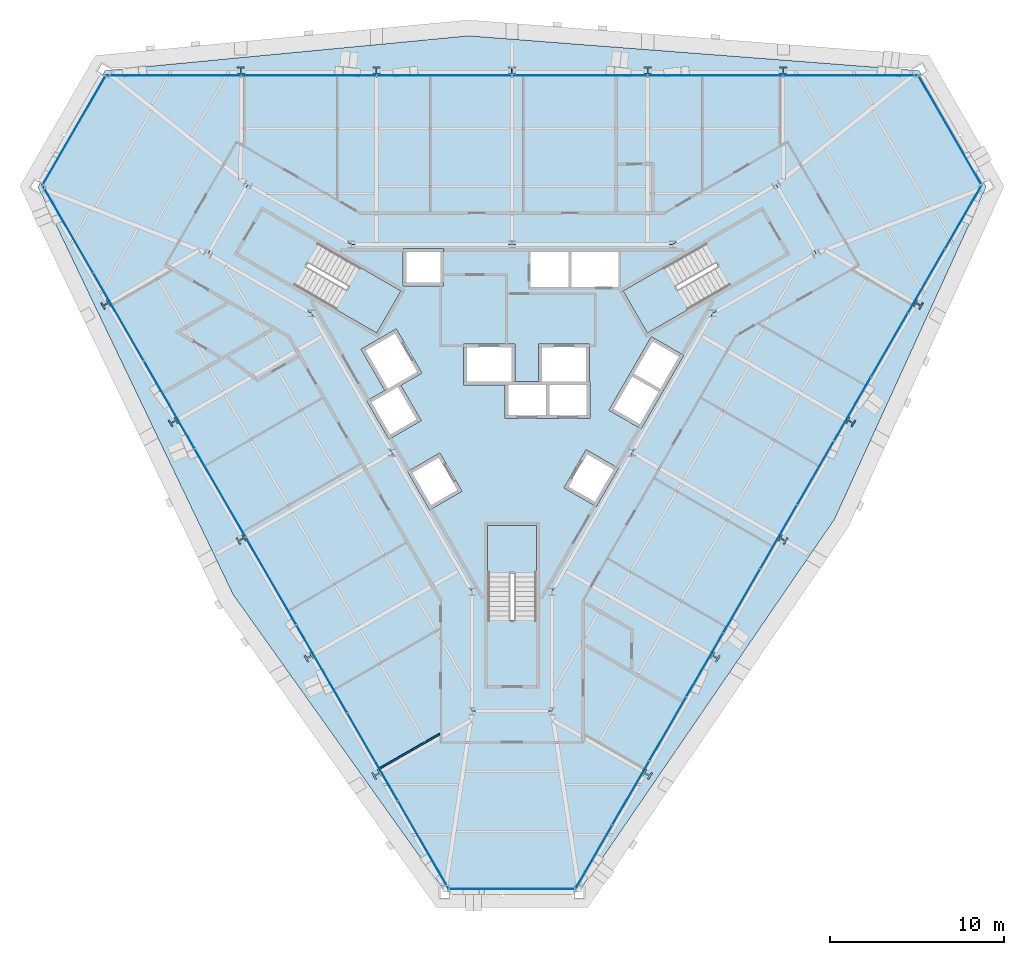
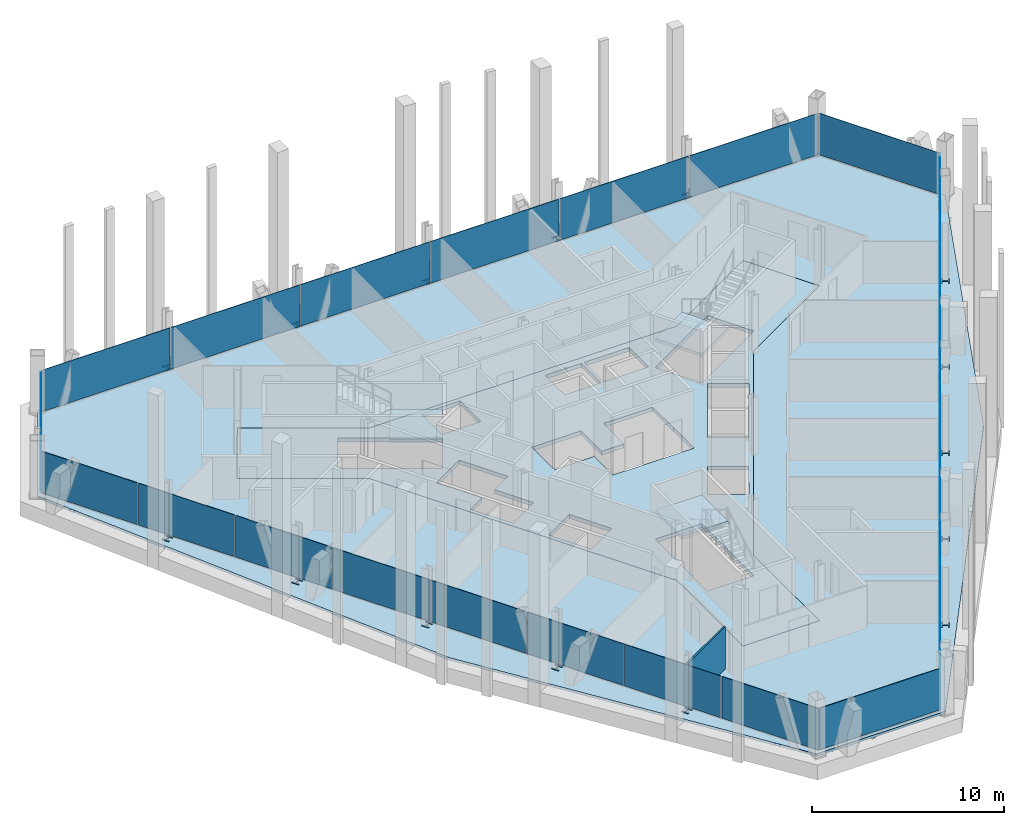
# One storey, part 11 of 17: 28 plates, 15 members, 5 slabs, 1 wall, 9 elements without a shape of their own.
"""IFC4 building model written with IfcOpenShell, lengths in metres."""

from ifc_helpers import new_model, si_unit, direction, frame, frame_2d, origin, origin_2d, place, context, subcontext, project, spatial, polyline, rectangle, i_section, outline, extrude, material, layer, layer_set, material_profile, profile_set, type_object, element, aggregate, save


model = new_model("IFC4")

# Units and contexts
model_context = context("Model", 3, precision=1e-05, world=origin(), true_north=direction((0.0, 1.0)))
body_context = subcontext(model_context, "Body", "Model", "MODEL_VIEW")
ifc_project = project(units=[si_unit("LENGTHUNIT", "METRE"), si_unit("AREAUNIT", "SQUARE_METRE"), si_unit("VOLUMEUNIT", "CUBIC_METRE"), si_unit("PLANEANGLEUNIT", "RADIAN"), si_unit("MASSUNIT", "GRAM", prefix="KILO")], contexts=[model_context])

# Site, building, storey
site_placement = place(None, origin())
site = spatial("IfcSite", under=ifc_project, at=site_placement, CompositionType="ELEMENT")
building_placement = place(site_placement, origin())
building = spatial("IfcBuilding", under=site, at=building_placement, Name="Verrane Prism Tower", CompositionType="ELEMENT")
storey_placement = place(building_placement, frame((0.0, 0.0, 178.39990234375)))
storey = spatial("IfcBuildingStorey", under=building, at=storey_placement, Name="L44", CompositionType="ELEMENT", Elevation=178.39990234375)

# Members
ifc_material_1 = material(Name="Steel A992", Category="steel")
ifc_material_profile = material_profile(ifc_material_1, i_section(OverallWidth=0.411376953125, OverallDepth=0.434326171875, WebThickness=0.035888671875, FlangeThickness=0.057373046875, FilletRadius=0.01513671875, at=origin_2d()), Name="W14x311")
ifc_profile_set = profile_set([ifc_material_profile], Name="Steel A992")
member_type = type_object("IfcMemberType", Name="Kink node W14x311", PredefinedType="COLLAR", material=ifc_profile_set)
member_1_placement = place(storey_placement, frame((15.628662109375, 18.006103515625, -0.039794921875), z_axis=(0.0, 0.0, 1.0), x_axis=(1.0, 0.0, 0.0)))
element("IfcMember", 1, at=member_1_placement, inside=storey, type_object=member_type, Name="Kink node PC6 L44", PredefinedType="COLLAR", context=body_context, shape_type="SweptSolid", body=[
    extrude(i_section(OverallWidth=0.411376953125, OverallDepth=0.434326171875, WebThickness=0.035888671875, FlangeThickness=0.057373046875, FilletRadius=0.01513671875, at=origin_2d()), origin(), (0.0, 0.0, 1.0), 0.079833984375),
])
for number, where, z_axis, x_axis, name in (
    (2, (7.8193359375, 18.006591796875, -0.034912109375), (0.0, 0.0, 1.0), (1.0, 0.0, 0.0), "Kink node PC6 L44"),
    (3, (0.0, 18.006591796875, -0.034912109375), (0.0, 0.0, 1.0), (1.0, 0.0, 0.0), "Kink node PC6 L44"),
    (4, (-7.8193359375, 18.006591796875, -0.034912109375), (0.0, 0.0, 1.0), (1.0, 0.0, 0.0), "Kink node PC6 L44"),
):
    element("IfcMember", number, at=place(storey_placement, frame(where, z_axis=z_axis, x_axis=x_axis)), inside=storey, type_object=member_type, Name=name, PredefinedType="COLLAR", context=body_context, shape_type="SweptSolid", body=[
        extrude(i_section(OverallWidth=0.411376953125, OverallDepth=0.434326171875, WebThickness=0.035888671875, FlangeThickness=0.057373046875, FilletRadius=0.01513671875, at=origin_2d()), origin(), (0.0, 0.0, 1.0), 0.070068359375),
    ])
for number, where, z_axis, x_axis, name in (
    (5, (-15.628662109375, 18.006103515625, -0.039794921875), (0.0, 0.0, 1.0), (1.0, 0.0, 0.0), "Kink node PC6 L44"),
    (6, (7.77734375, -22.546875, -0.039794921875), (0.0, 0.0, 1.0), (-0.5, -0.866025403784, 0.0), "Kink node PC6 L44"),
):
    element("IfcMember", number, at=place(storey_placement, frame(where, z_axis=z_axis, x_axis=x_axis)), inside=storey, type_object=member_type, Name=name, PredefinedType="COLLAR", context=body_context, shape_type="SweptSolid", body=[
        extrude(i_section(OverallWidth=0.411376953125, OverallDepth=0.434326171875, WebThickness=0.035888671875, FlangeThickness=0.057373046875, FilletRadius=0.01513671875, at=origin_2d()), origin(), (0.0, 0.0, 1.0), 0.079833984375),
    ])
for number, where, z_axis, x_axis, name in (
    (7, (11.6875, -15.77783203125, -0.034912109375), (0.0, 0.0, 1.0), (-0.5, -0.866025403784, 0.0), "Kink node PC6 L44"),
    (8, (15.59716796875, -9.00830078125, -0.034912109375), (0.0, 0.0, 1.0), (-0.5, -0.866025403784, 0.0), "Kink node PC6 L44"),
    (9, (19.5068359375, -2.22900390625, -0.034912109375), (0.0, 0.0, 1.0), (-0.5, -0.866025403784, 0.0), "Kink node PC6 L44"),
):
    element("IfcMember", number, at=place(storey_placement, frame(where, z_axis=z_axis, x_axis=x_axis)), inside=storey, type_object=member_type, Name=name, PredefinedType="COLLAR", context=body_context, shape_type="SweptSolid", body=[
        extrude(i_section(OverallWidth=0.411376953125, OverallDepth=0.434326171875, WebThickness=0.035888671875, FlangeThickness=0.057373046875, FilletRadius=0.01513671875, at=origin_2d()), origin(), (0.0, 0.0, 1.0), 0.070068359375),
    ])
for number, where, z_axis, x_axis, name in (
    (10, (23.406005859375, 4.54052734375, -0.039794921875), (0.0, 0.0, 1.0), (-0.5, -0.866025403784, 0.0), "Kink node PC6 L44"),
    (11, (-23.406005859375, 4.54052734375, -0.039794921875), (0.0, 0.0, 1.0), (-0.5, 0.866025403784, 0.0), "Kink node PC6 L44"),
):
    element("IfcMember", number, at=place(storey_placement, frame(where, z_axis=z_axis, x_axis=x_axis)), inside=storey, type_object=member_type, Name=name, PredefinedType="COLLAR", context=body_context, shape_type="SweptSolid", body=[
        extrude(i_section(OverallWidth=0.411376953125, OverallDepth=0.434326171875, WebThickness=0.035888671875, FlangeThickness=0.057373046875, FilletRadius=0.01513671875, at=origin_2d()), origin(), (0.0, 0.0, 1.0), 0.079833984375),
    ])
for number, where, z_axis, x_axis, name in (
    (12, (-19.5068359375, -2.22900390625, -0.034912109375), (0.0, 0.0, 1.0), (-0.5, 0.866025403784, 0.0), "Kink node PC6 L44"),
    (13, (-15.59716796875, -9.00830078125, -0.034912109375), (0.0, 0.0, 1.0), (-0.5, 0.866025403784, 0.0), "Kink node PC6 L44"),
    (14, (-11.6875, -15.77783203125, -0.034912109375), (0.0, 0.0, 1.0), (-0.5, 0.866025403784, 0.0), "Kink node PC6 L44"),
):
    element("IfcMember", number, at=place(storey_placement, frame(where, z_axis=z_axis, x_axis=x_axis)), inside=storey, type_object=member_type, Name=name, PredefinedType="COLLAR", context=body_context, shape_type="SweptSolid", body=[
        extrude(i_section(OverallWidth=0.411376953125, OverallDepth=0.434326171875, WebThickness=0.035888671875, FlangeThickness=0.057373046875, FilletRadius=0.01513671875, at=origin_2d()), origin(), (0.0, 0.0, 1.0), 0.070068359375),
    ])
member_2_placement = place(storey_placement, frame((-7.77734375, -22.546875, -0.039794921875), z_axis=(0.0, 0.0, 1.0), x_axis=(-0.5, 0.866025403784, 0.0)))
element("IfcMember", 15, at=member_2_placement, inside=storey, type_object=member_type, Name="Kink node PC6 L44", PredefinedType="COLLAR", context=body_context, shape_type="SweptSolid", body=[
    extrude(i_section(OverallWidth=0.411376953125, OverallDepth=0.434326171875, WebThickness=0.035888671875, FlangeThickness=0.057373046875, FilletRadius=0.01513671875, at=origin_2d()), origin(), (0.0, 0.0, 1.0), 0.079833984375),
])

# Slabs
ifc_material_2 = material(Name="Concrete C35/45", Category="concrete")
ifc_layer_1 = layer(ifc_material_2, 0.159912109375)
ifc_layer_set_1 = layer_set([ifc_layer_1], Name="Composite floor slab")
slab_type_1 = type_object("IfcSlabType", Name="Composite floor slab", PredefinedType="FLOOR", material=ifc_layer_set_1)
slab_1_placement = place(storey_placement, frame((0.0, 0.0, -0.159912109375)))
element("IfcSlab", 16, at=slab_1_placement, inside=storey, type_object=slab_type_1, Name="Floor slab L44", PredefinedType="FLOOR", context=body_context, shape_type="SweptSolid", body=[
    extrude(outline(polyline([(18.580078125, -7.838623046875), (3.87109375, -29.315185546875), (-3.87109375, -29.315185546875), (-16.078369140625, -12.17138671875), (-27.3232421875, 11.30517578125), (-23.4521484375, 18.010009765625), (-2.501708984375, 20.010009765625), (23.4521484375, 18.010009765625), (27.3232421875, 11.30517578125), (18.580078125, -7.838623046875)]), holes=[polyline([(17.52001953125, 7.4599609375), (15.219970703125, 11.43994140625), (9.260009765625, 8.0), (0.0, 8.0), (-9.260009765625, 8.0), (-15.219970703125, 11.43994140625), (-17.52001953125, 7.4599609375), (-11.56005859375, 4.02001953125), (-6.929931640625, -4.0), (-2.300048828125, -12.02001953125), (-2.300048828125, -18.89990234375), (2.300048828125, -18.89990234375), (2.300048828125, -12.02001953125), (6.929931640625, -4.0), (11.56005859375, 4.02001953125), (17.52001953125, 7.4599609375)])]), origin(), (0.0, 0.0, 1.0), 0.159912109375),
])
ifc_material_3 = material(Name="Concrete C40/50", Category="concrete")
ifc_layer_2 = layer(ifc_material_3, 0.25)
ifc_layer_set_2 = layer_set([ifc_layer_2], Name="Core floor slab 250 concrete C40/50")
slab_type_2 = type_object("IfcSlabType", Name="Core floor slab 250 concrete C40/50", PredefinedType="FLOOR", material=ifc_layer_set_2)
slab_2_placement = place(storey_placement, frame((0.0, 0.0, -0.25)))
element("IfcSlab", 17, at=slab_2_placement, inside=storey, type_object=slab_type_2, Name="Core floor L44", PredefinedType="FLOOR", context=body_context, shape_type="SweptSolid", body=[
    extrude(outline(polyline([(11.56005859375, 4.02001953125), (17.52001953125, 7.4599609375), (15.219970703125, 11.43994140625), (9.260009765625, 8.0), (0.0, 8.0), (-9.260009765625, 8.0), (-15.219970703125, 11.43994140625), (-17.52001953125, 7.4599609375), (-11.56005859375, 4.02001953125), (-6.929931640625, -4.0), (-2.300048828125, -12.02001953125), (-2.300048828125, -18.89990234375), (2.300048828125, -18.89990234375), (2.300048828125, -12.02001953125), (6.929931640625, -4.0), (11.56005859375, 4.02001953125)]), holes=[polyline([(1.39990234375, -8.199951171875), (1.39990234375, -13.639892578125), (-1.39990234375, -13.639892578125), (-1.39990234375, -8.199951171875), (1.39990234375, -8.199951171875)]), polyline([(-2.881103515625, -6.22998046875), (-4.742919921875, -7.304931640625), (-6.01806640625, -5.096923828125), (-4.156005859375, -4.02197265625), (-2.881103515625, -6.22998046875)]), polyline([(-7.801025390625, 2.887939453125), (-12.512939453125, 5.60791015625), (-11.113037109375, 8.031982421875), (-6.40087890625, 5.31201171875), (-7.801025390625, 2.887939453125)]), polyline([(-6.284912109375, 5.610107421875), (-6.284912109375, 7.760009765625), (-3.93505859375, 7.760009765625), (-3.93505859375, 5.610107421875), (-6.284912109375, 5.610107421875)]), polyline([(4.26611328125, -3.8310546875), (6.1279296875, -4.906005859375), (4.85302734375, -7.114990234375), (2.990966796875, -6.0400390625), (4.26611328125, -3.8310546875)]), polyline([(7.43798828125, -2.636962890625), (5.575927734375, -1.56201171875), (8.02587890625, 2.680908203125), (9.887939453125, 1.60595703125), (7.43798828125, -2.636962890625)]), polyline([(0.1650390625, 0.10009765625), (1.52490234375, 0.10009765625), (1.52490234375, 2.25), (4.47509765625, 2.25), (4.47509765625, 0.10009765625), (4.4951171875, 0.10009765625), (4.4951171875, -2.050048828125), (-0.405029296875, -2.050048828125), (-0.405029296875, -0.10009765625), (-2.784912109375, -0.10009765625), (-2.784912109375, 2.25), (0.1650390625, 2.25), (0.1650390625, 0.10009765625)]), polyline([(6.40087890625, 5.31201171875), (11.113037109375, 8.031982421875), (12.512939453125, 5.60791015625), (7.801025390625, 2.887939453125), (6.40087890625, 5.31201171875)]), polyline([(1.074951171875, 5.534912109375), (1.074951171875, 7.56005859375), (3.264892578125, 7.56005859375), (3.264892578125, 5.534912109375), (1.074951171875, 5.534912109375)]), polyline([(3.4150390625, 7.56005859375), (6.125, 7.56005859375), (6.125, 5.534912109375), (3.4150390625, 5.534912109375), (3.4150390625, 7.56005859375)]), polyline([(-5.23095703125, -2.159912109375), (-7.093017578125, -3.235107421875), (-8.367919921875, -1.02587890625), (-7.3291015625, -0.426025390625), (-8.7041015625, 1.955078125), (-6.66796875, 3.1298828125), (-5.193115234375, 0.574951171875), (-6.406005859375, -0.125), (-5.23095703125, -2.159912109375)])]), origin(), (0.0, 0.0, 1.0), 0.25),
])

# Curtain wall, plates
ifc_material_4 = material(Name="Aluminium framed insulated glazing", Category="aluminium")
curtain_wall_type_1 = type_object("IfcCurtainWallType", Name="Curtain wall CW-C 4200 module", PredefinedType="NOTDEFINED", material=ifc_material_4)
curtain_wall_1_placement = place(storey_placement, origin())
curtain_wall_1 = element("IfcCurtainWall", 18, at=curtain_wall_1_placement, inside=storey, type_object=curtain_wall_type_1, Name="Glazed curtain wall south-east face L44", PredefinedType="NOTDEFINED")
ifc_material_5 = material(Name="Low-iron insulating glass unit", Category="glass")
ifc_layer_3 = layer(ifc_material_5, 0.02392578125)
ifc_layer_set_3 = layer_set([ifc_layer_3], Name="Glazing panel IGU 24")
plate_type_1 = type_object("IfcPlateType", Name="Glazing panel IGU 24", PredefinedType="CURTAIN_PANEL", material=ifc_layer_set_3)
plate_1_placement = place(storey_placement, frame((4.7216796875, -27.283935546875, 0.05029296875), z_axis=(0.0, 0.0, 1.0), x_axis=(0.499999427701, 0.866025734201, 0.0)))
plate_1 = element("IfcPlate", 19, at=plate_1_placement, type_object=plate_type_1, Name="CW44.6 panel 1", PredefinedType="CURTAIN_PANEL", context=body_context, shape_type="SweptSolid", body=[
    extrude(rectangle(XDim=4.18115234375, YDim=0.02392578125, at=origin_2d()), origin(), (0.0, 0.0, 1.0), 2.662841796875),
])
plate_2_placement = place(storey_placement, frame((6.84326171875, -23.60888671875, 0.05029296875), z_axis=(0.0, 0.0, 1.0), x_axis=(0.499999427701, 0.866025734201, 0.0)))
plate_2 = element("IfcPlate", 20, at=plate_2_placement, type_object=plate_type_1, Name="CW44.6 panel 2", PredefinedType="CURTAIN_PANEL", context=body_context, shape_type="SweptSolid", body=[
    extrude(rectangle(XDim=4.2060546875, YDim=0.02392578125, at=origin_2d()), origin(), (0.0, 0.0, 1.0), 2.662841796875),
])
plate_3_placement = place(storey_placement, frame((8.971435546875, -19.923095703125, 0.05029296875), z_axis=(0.0, 0.0, 1.0), x_axis=(0.499999427701, 0.866025734201, 0.0)))
plate_3 = element("IfcPlate", 21, at=plate_3_placement, type_object=plate_type_1, Name="CW44.6 panel 3", PredefinedType="CURTAIN_PANEL", context=body_context, shape_type="SweptSolid", body=[
    extrude(rectangle(XDim=4.2060546875, YDim=0.02392578125, at=origin_2d()), origin(), (0.0, 0.0, 1.0), 2.662841796875),
])
plate_4_placement = place(storey_placement, frame((11.099365234375, -16.2373046875, 0.05029296875), z_axis=(0.0, 0.0, 1.0), x_axis=(0.499999427701, 0.866025734201, 0.0)))
plate_4 = element("IfcPlate", 22, at=plate_4_placement, type_object=plate_type_1, Name="CW44.6 panel 4", PredefinedType="CURTAIN_PANEL", context=body_context, shape_type="SweptSolid", body=[
    extrude(rectangle(XDim=4.2060546875, YDim=0.02392578125, at=origin_2d()), origin(), (0.0, 0.0, 1.0), 2.662841796875),
])
plate_5_placement = place(storey_placement, frame((13.2275390625, -12.55126953125, 0.05029296875), z_axis=(0.0, 0.0, 1.0), x_axis=(0.499999427701, 0.866025734201, 0.0)))
plate_5 = element("IfcPlate", 23, at=plate_5_placement, type_object=plate_type_1, Name="CW44.6 panel 5", PredefinedType="CURTAIN_PANEL", context=body_context, shape_type="SweptSolid", body=[
    extrude(rectangle(XDim=4.2060546875, YDim=0.02392578125, at=origin_2d()), origin(), (0.0, 0.0, 1.0), 2.662841796875),
])
plate_6_placement = place(storey_placement, frame((15.35546875, -8.865478515625, 0.05029296875), z_axis=(0.0, 0.0, 1.0), x_axis=(0.499999427701, 0.866025734201, 0.0)))
plate_6 = element("IfcPlate", 24, at=plate_6_placement, type_object=plate_type_1, Name="CW44.6 panel 6", PredefinedType="CURTAIN_PANEL", context=body_context, shape_type="SweptSolid", body=[
    extrude(rectangle(XDim=4.2060546875, YDim=0.02392578125, at=origin_2d()), origin(), (0.0, 0.0, 1.0), 2.662841796875),
])
plate_7_placement = place(storey_placement, frame((17.483642578125, -5.1796875, 0.05029296875), z_axis=(0.0, 0.0, 1.0), x_axis=(0.499999427701, 0.866025734201, 0.0)))
plate_7 = element("IfcPlate", 25, at=plate_7_placement, type_object=plate_type_1, Name="CW44.6 panel 7", PredefinedType="CURTAIN_PANEL", context=body_context, shape_type="SweptSolid", body=[
    extrude(rectangle(XDim=4.2060546875, YDim=0.02392578125, at=origin_2d()), origin(), (0.0, 0.0, 1.0), 2.662841796875),
])
plate_8_placement = place(storey_placement, frame((19.611572265625, -1.49365234375, 0.05029296875), z_axis=(0.0, 0.0, 1.0), x_axis=(0.499999427701, 0.866025734201, 0.0)))
plate_8 = element("IfcPlate", 26, at=plate_8_placement, type_object=plate_type_1, Name="CW44.6 panel 8", PredefinedType="CURTAIN_PANEL", context=body_context, shape_type="SweptSolid", body=[
    extrude(rectangle(XDim=4.2060546875, YDim=0.02392578125, at=origin_2d()), origin(), (0.0, 0.0, 1.0), 2.662841796875),
])
plate_9_placement = place(storey_placement, frame((21.739501953125, 2.192138671875, 0.05029296875), z_axis=(0.0, 0.0, 1.0), x_axis=(0.499999427701, 0.866025734201, 0.0)))
plate_9 = element("IfcPlate", 27, at=plate_9_placement, type_object=plate_type_1, Name="CW44.6 panel 9", PredefinedType="CURTAIN_PANEL", context=body_context, shape_type="SweptSolid", body=[
    extrude(rectangle(XDim=4.2060546875, YDim=0.02392578125, at=origin_2d()), origin(), (0.0, 0.0, 1.0), 2.662841796875),
])
plate_10_placement = place(storey_placement, frame((23.86767578125, 5.8779296875, 0.05029296875), z_axis=(0.0, 0.0, 1.0), x_axis=(0.499999427701, 0.866025734201, 0.0)))
plate_10 = element("IfcPlate", 28, at=plate_10_placement, type_object=plate_type_1, Name="CW44.6 panel 10", PredefinedType="CURTAIN_PANEL", context=body_context, shape_type="SweptSolid", body=[
    extrude(rectangle(XDim=4.2060546875, YDim=0.02392578125, at=origin_2d()), origin(), (0.0, 0.0, 1.0), 2.662841796875),
])
plate_11_placement = place(storey_placement, frame((26.001953125, 9.57470703125, 0.05029296875), z_axis=(0.0, 0.0, 1.0), x_axis=(0.499999427701, 0.866025734201, 0.0)))
plate_11 = element("IfcPlate", 29, at=plate_11_placement, type_object=plate_type_1, Name="CW44.6 panel 11", PredefinedType="CURTAIN_PANEL", context=body_context, shape_type="SweptSolid", body=[
    extrude(rectangle(XDim=4.23095703125, YDim=0.02392578125, at=origin_2d()), origin(), (0.0, 0.0, 1.0), 2.662841796875),
])
aggregate(curtain_wall_1, [plate_1, plate_2, plate_3, plate_4, plate_5, plate_6, plate_7, plate_8, plate_9, plate_10, plate_11])

ifc_material_6 = material(Name="Aluminium framed insulated glazing", Category="aluminium")
curtain_wall_type_2 = type_object("IfcCurtainWallType", Name="Curtain wall CW-B 5600 module", PredefinedType="NOTDEFINED", material=ifc_material_6)
curtain_wall_2_placement = place(storey_placement, origin())
curtain_wall_2 = element("IfcCurtainWall", 30, at=curtain_wall_2_placement, inside=storey, type_object=curtain_wall_type_2, Name="Glazed curtain wall south-west face L44", PredefinedType="NOTDEFINED")
ifc_material_7 = material(Name="Low-iron insulating glass unit", Category="glass")
ifc_layer_4 = layer(ifc_material_7, 0.028076171875)
ifc_layer_set_4 = layer_set([ifc_layer_4], Name="Glazing panel IGU 28")
plate_type_2 = type_object("IfcPlateType", Name="Glazing panel IGU 28", PredefinedType="CURTAIN_PANEL", material=ifc_layer_set_4)
plate_12_placement = place(storey_placement, frame((-25.589111328125, 8.85986328125, 0.06005859375), z_axis=(0.0, 0.0, 1.0), x_axis=(0.499999427701, -0.866025734201, 0.0)))
plate_12 = element("IfcPlate", 31, at=plate_12_placement, type_object=plate_type_2, Name="CW44.4 panel 1", PredefinedType="CURTAIN_PANEL", context=body_context, shape_type="SweptSolid", body=[
    extrude(rectangle(XDim=5.76220703125, YDim=0.028076171875, at=origin_2d()), origin(), (0.0, 0.0, 1.0), 2.65283203125),
])
plate_13_placement = place(storey_placement, frame((-22.670654296875, 3.8046875, 0.06005859375), z_axis=(0.0, 0.0, 1.0), x_axis=(0.499999427701, -0.866025734201, 0.0)))
plate_13 = element("IfcPlate", 32, at=plate_13_placement, type_object=plate_type_2, Name="CW44.4 panel 2", PredefinedType="CURTAIN_PANEL", context=body_context, shape_type="SweptSolid", body=[
    extrude(rectangle(XDim=5.7919921875, YDim=0.028076171875, at=origin_2d()), origin(), (0.0, 0.0, 1.0), 2.65283203125),
])
plate_14_placement = place(storey_placement, frame((-19.74462890625, -1.263427734375, 0.06005859375), z_axis=(0.0, 0.0, 1.0), x_axis=(0.499999427701, -0.866025734201, 0.0)))
plate_14 = element("IfcPlate", 33, at=plate_14_placement, type_object=plate_type_2, Name="CW44.4 panel 3", PredefinedType="CURTAIN_PANEL", context=body_context, shape_type="SweptSolid", body=[
    extrude(rectangle(XDim=5.7919921875, YDim=0.028076171875, at=origin_2d()), origin(), (0.0, 0.0, 1.0), 2.65283203125),
])
plate_15_placement = place(storey_placement, frame((-16.818603515625, -6.33154296875, 0.06005859375), z_axis=(0.0, 0.0, 1.0), x_axis=(0.499999427701, -0.866025734201, 0.0)))
plate_15 = element("IfcPlate", 34, at=plate_15_placement, type_object=plate_type_2, Name="CW44.4 panel 4", PredefinedType="CURTAIN_PANEL", context=body_context, shape_type="SweptSolid", body=[
    extrude(rectangle(XDim=5.7919921875, YDim=0.028076171875, at=origin_2d()), origin(), (0.0, 0.0, 1.0), 2.65283203125),
])
plate_16_placement = place(storey_placement, frame((-13.892578125, -11.399658203125, 0.06005859375), z_axis=(0.0, 0.0, 1.0), x_axis=(0.499999427701, -0.866025734201, 0.0)))
plate_16 = element("IfcPlate", 35, at=plate_16_placement, type_object=plate_type_2, Name="CW44.4 panel 5", PredefinedType="CURTAIN_PANEL", context=body_context, shape_type="SweptSolid", body=[
    extrude(rectangle(XDim=5.7919921875, YDim=0.028076171875, at=origin_2d()), origin(), (0.0, 0.0, 1.0), 2.65283203125),
])
plate_17_placement = place(storey_placement, frame((-10.96630859375, -16.467529296875, 0.06005859375), z_axis=(0.0, 0.0, 1.0), x_axis=(0.499999427701, -0.866025734201, 0.0)))
plate_17 = element("IfcPlate", 36, at=plate_17_placement, type_object=plate_type_2, Name="CW44.4 panel 6", PredefinedType="CURTAIN_PANEL", context=body_context, shape_type="SweptSolid", body=[
    extrude(rectangle(XDim=5.7919921875, YDim=0.028076171875, at=origin_2d()), origin(), (0.0, 0.0, 1.0), 2.65283203125),
])
plate_18_placement = place(storey_placement, frame((-8.040283203125, -21.53564453125, 0.06005859375), z_axis=(0.0, 0.0, 1.0), x_axis=(0.499999427701, -0.866025734201, 0.0)))
plate_18 = element("IfcPlate", 37, at=plate_18_placement, type_object=plate_type_2, Name="CW44.4 panel 7", PredefinedType="CURTAIN_PANEL", context=body_context, shape_type="SweptSolid", body=[
    extrude(rectangle(XDim=5.7919921875, YDim=0.028076171875, at=origin_2d()), origin(), (0.0, 0.0, 1.0), 2.65283203125),
])
plate_19_placement = place(storey_placement, frame((-5.10693359375, -26.61669921875, 0.06005859375), z_axis=(0.0, 0.0, 1.0), x_axis=(0.499999427701, -0.866025734201, 0.0)))
plate_19 = element("IfcPlate", 38, at=plate_19_placement, type_object=plate_type_2, Name="CW44.4 panel 8", PredefinedType="CURTAIN_PANEL", context=body_context, shape_type="SweptSolid", body=[
    extrude(rectangle(XDim=5.822021484375, YDim=0.028076171875, at=origin_2d()), origin(), (0.0, 0.0, 1.0), 2.65283203125),
])
aggregate(curtain_wall_2, [plate_12, plate_13, plate_14, plate_15, plate_16, plate_17, plate_18, plate_19])

# Curtain wall, plate
ifc_material_8 = material(Name="Aluminium framed insulated glazing", Category="aluminium")
curtain_wall_type_3 = type_object("IfcCurtainWallType", Name="Curtain wall CW-A 8400 module", PredefinedType="NOTDEFINED", material=ifc_material_8)
curtain_wall_3_placement = place(storey_placement, origin())
curtain_wall_3 = element("IfcCurtainWall", 39, at=curtain_wall_3_placement, inside=storey, type_object=curtain_wall_type_3, Name="Glazed curtain wall north-east corner L44", PredefinedType="NOTDEFINED")
ifc_material_9 = material(Name="Low-iron insulating glass unit", Category="glass")
ifc_layer_5 = layer(ifc_material_9, 0.031982421875)
ifc_layer_set_5 = layer_set([ifc_layer_5], Name="Glazing panel IGU 32")
plate_type_3 = type_object("IfcPlateType", Name="Glazing panel IGU 32", PredefinedType="CURTAIN_PANEL", material=ifc_layer_set_5)
plate_20_placement = place(storey_placement, frame((25.216552734375, 14.59912109375, 0.0703125), z_axis=(0.0, 0.0, 1.0), x_axis=(-0.500002200696, 0.866024133208, 0.0)))
plate_20 = element("IfcPlate", 40, at=plate_20_placement, type_object=plate_type_3, Name="CW44.1 panel 1", PredefinedType="CURTAIN_PANEL", context=body_context, shape_type="SweptSolid", body=[
    extrude(rectangle(XDim=7.232666015625, YDim=0.031982421875, at=origin_2d()), origin(), (0.0, 0.0, 1.0), 2.642822265625),
])
aggregate(curtain_wall_3, [plate_20])

# Curtain wall, plates
curtain_wall_4_placement = place(storey_placement, origin())
curtain_wall_4 = element("IfcCurtainWall", 41, at=curtain_wall_4_placement, inside=storey, type_object=curtain_wall_type_3, Name="Glazed curtain wall north face L44", PredefinedType="NOTDEFINED")
plate_21_placement = place(storey_placement, frame((19.489501953125, 17.73095703125, 0.0703125), z_axis=(0.0, 0.0, 1.0), x_axis=(-1.0, 0.0, 0.0)))
plate_21 = element("IfcPlate", 42, at=plate_21_placement, type_object=plate_type_3, Name="CW44.2 panel 1", PredefinedType="CURTAIN_PANEL", context=body_context, shape_type="SweptSolid", body=[
    extrude(rectangle(XDim=7.69775390625, YDim=0.031982421875, at=origin_2d()), origin(), (0.0, 0.0, 1.0), 2.642822265625),
])
plate_22_placement = place(storey_placement, frame((11.7041015625, 17.73095703125, 0.0703125), z_axis=(0.0, 0.0, 1.0), x_axis=(-1.0, 0.0, 0.0)))
plate_22 = element("IfcPlate", 43, at=plate_22_placement, type_object=plate_type_3, Name="CW44.2 panel 2", PredefinedType="CURTAIN_PANEL", context=body_context, shape_type="SweptSolid", body=[
    extrude(rectangle(XDim=7.73291015625, YDim=0.031982421875, at=origin_2d()), origin(), (0.0, 0.0, 1.0), 2.642822265625),
])
plate_23_placement = place(storey_placement, frame((3.9013671875, 17.73095703125, 0.0703125), z_axis=(0.0, 0.0, 1.0), x_axis=(-1.0, 0.0, 0.0)))
plate_23 = element("IfcPlate", 44, at=plate_23_placement, type_object=plate_type_3, Name="CW44.2 panel 3", PredefinedType="CURTAIN_PANEL", context=body_context, shape_type="SweptSolid", body=[
    extrude(rectangle(XDim=7.73291015625, YDim=0.031982421875, at=origin_2d()), origin(), (0.0, 0.0, 1.0), 2.642822265625),
])
plate_24_placement = place(storey_placement, frame((-3.9013671875, 17.73095703125, 0.0703125), z_axis=(0.0, 0.0, 1.0), x_axis=(-1.0, 0.0, 0.0)))
plate_24 = element("IfcPlate", 45, at=plate_24_placement, type_object=plate_type_3, Name="CW44.2 panel 4", PredefinedType="CURTAIN_PANEL", context=body_context, shape_type="SweptSolid", body=[
    extrude(rectangle(XDim=7.73291015625, YDim=0.031982421875, at=origin_2d()), origin(), (0.0, 0.0, 1.0), 2.642822265625),
])
plate_25_placement = place(storey_placement, frame((-11.7041015625, 17.73095703125, 0.0703125), z_axis=(0.0, 0.0, 1.0), x_axis=(-1.0, 0.0, 0.0)))
plate_25 = element("IfcPlate", 46, at=plate_25_placement, type_object=plate_type_3, Name="CW44.2 panel 5", PredefinedType="CURTAIN_PANEL", context=body_context, shape_type="SweptSolid", body=[
    extrude(rectangle(XDim=7.73291015625, YDim=0.031982421875, at=origin_2d()), origin(), (0.0, 0.0, 1.0), 2.642822265625),
])
plate_26_placement = place(storey_placement, frame((-19.5244140625, 17.73095703125, 0.0703125), z_axis=(0.0, 0.0, 1.0), x_axis=(-1.0, 0.0, 0.0)))
plate_26 = element("IfcPlate", 47, at=plate_26_placement, type_object=plate_type_3, Name="CW44.2 panel 6", PredefinedType="CURTAIN_PANEL", context=body_context, shape_type="SweptSolid", body=[
    extrude(rectangle(XDim=7.767822265625, YDim=0.031982421875, at=origin_2d()), origin(), (0.0, 0.0, 1.0), 2.642822265625),
])
aggregate(curtain_wall_4, [plate_21, plate_22, plate_23, plate_24, plate_25, plate_26])

# Curtain wall, plate
curtain_wall_5_placement = place(storey_placement, origin())
curtain_wall_5 = element("IfcCurtainWall", 48, at=curtain_wall_5_placement, inside=storey, type_object=curtain_wall_type_3, Name="Glazed curtain wall north-west corner L44", PredefinedType="NOTDEFINED")
plate_27_placement = place(storey_placement, frame((-25.25146484375, 14.53857421875, 0.0703125), z_axis=(0.0, 0.0, 1.0), x_axis=(-0.500002200696, -0.866024133208, 0.0)))
plate_27 = element("IfcPlate", 49, at=plate_27_placement, type_object=plate_type_3, Name="CW44.3 panel 1", PredefinedType="CURTAIN_PANEL", context=body_context, shape_type="SweptSolid", body=[
    extrude(rectangle(XDim=7.232666015625, YDim=0.031982421875, at=origin_2d()), origin(), (0.0, 0.0, 1.0), 2.642822265625),
])
aggregate(curtain_wall_5, [plate_27])

curtain_wall_6_placement = place(storey_placement, origin())
curtain_wall_6 = element("IfcCurtainWall", 50, at=curtain_wall_6_placement, inside=storey, type_object=curtain_wall_type_3, Name="Glazed curtain wall south corner L44", PredefinedType="NOTDEFINED")
plate_28_placement = place(storey_placement, frame((0.034912109375, -29.1376953125, 0.0703125), z_axis=(0.0, 0.0, 1.0), x_axis=(1.0, 0.0, 0.0)))
plate_28 = element("IfcPlate", 51, at=plate_28_placement, type_object=plate_type_3, Name="CW44.5 panel 1", PredefinedType="CURTAIN_PANEL", context=body_context, shape_type="SweptSolid", body=[
    extrude(rectangle(XDim=7.232666015625, YDim=0.031982421875, at=origin_2d()), origin(), (0.0, 0.0, 1.0), 2.642822265625),
])
aggregate(curtain_wall_6, [plate_28])

# Stair, slab
ifc_material_10 = material(Name="Concrete C40/50", Category="concrete")
stair_type = type_object("IfcStairType", Name="Exit stair 1300 dog-leg precast concrete C40/50", PredefinedType="HALF_TURN_STAIR", material=ifc_material_10)
stair_1_placement = place(storey_placement, origin())
stair_1 = element("IfcStair", 52, at=stair_1_placement, inside=storey, type_object=stair_type, Name="Stair 1 L44", PredefinedType="HALF_TURN_STAIR")
ifc_material_11 = material(Name="Concrete C40/50", Category="concrete")
ifc_layer_6 = layer(ifc_material_11, 0.199951171875)
ifc_layer_set_6 = layer_set([ifc_layer_6], Name="Stair landing 200 precast concrete C40/50")
slab_type_3 = type_object("IfcSlabType", Name="Stair landing 200 precast concrete C40/50", PredefinedType="LANDING", material=ifc_layer_set_6)
slab_3_placement = place(storey_placement, frame((0.0, 0.0, 1.650146484375)))
slab_3 = element("IfcSlab", 53, at=slab_3_placement, type_object=slab_type_3, Name="Stair 1 landing 1", PredefinedType="LANDING", context=body_context, shape_type="SweptSolid", body=[
    extrude(outline(polyline([(8.791748046875, 6.6923828125), (6.4013671875, 5.3125), (7.801513671875, 2.887451171875), (10.191650390625, 4.267578125), (8.791748046875, 6.6923828125)])), origin(), (0.0, 0.0, 1.0), 0.199951171875),
])
aggregate(stair_1, [slab_3])

stair_2_placement = place(storey_placement, origin())
stair_2 = element("IfcStair", 54, at=stair_2_placement, inside=storey, type_object=stair_type, Name="Stair 2 L44", PredefinedType="HALF_TURN_STAIR")
slab_4_placement = place(storey_placement, frame((0.0, 0.0, 1.650146484375)))
slab_4 = element("IfcSlab", 55, at=slab_4_placement, type_object=slab_type_3, Name="Stair 2 landing 1", PredefinedType="LANDING", context=body_context, shape_type="SweptSolid", body=[
    extrude(outline(polyline([(-10.191650390625, 4.267578125), (-7.801513671875, 2.887451171875), (-6.4013671875, 5.3125), (-8.791748046875, 6.6923828125), (-10.191650390625, 4.267578125)])), origin(), (0.0, 0.0, 1.0), 0.199951171875),
])
aggregate(stair_2, [slab_4])

stair_3_placement = place(storey_placement, origin())
stair_3 = element("IfcStair", 56, at=stair_3_placement, inside=storey, type_object=stair_type, Name="Stair 3 L44", PredefinedType="HALF_TURN_STAIR")
slab_5_placement = place(storey_placement, frame((0.0, 0.0, 1.650146484375)))
slab_5 = element("IfcSlab", 57, at=slab_5_placement, type_object=slab_type_3, Name="Stair 3 landing 1", PredefinedType="LANDING", context=body_context, shape_type="SweptSolid", body=[
    extrude(outline(polyline([(1.39990234375, -10.9599609375), (1.39990234375, -8.199951171875), (-1.39990234375, -8.199951171875), (-1.39990234375, -10.9599609375), (1.39990234375, -10.9599609375)])), origin(), (0.0, 0.0, 1.0), 0.199951171875),
])
aggregate(stair_3, [slab_5])

# Wall
ifc_material_12 = material(Name="Gypsum board partition", Category="other")
ifc_layer_7 = layer(ifc_material_12, 0.10009765625)
ifc_layer_set_7 = layer_set([ifc_layer_7], Name="PW-100 room partition")
wall_type = type_object("IfcWallType", Name="PW-100 room partition", PredefinedType="PARTITIONING", material=ifc_layer_set_7)
wall_placement = place(storey_placement, frame((-7.561767578125, -22.173095703125, 0.0), z_axis=(0.0, 0.0, 1.0), x_axis=(0.866079547155, 0.499906209203, 0.0)))
element("IfcWall", 58, at=wall_placement, inside=storey, type_object=wall_type, Name="Room partition 018", PredefinedType="PARTITIONING", context=body_context, shape_type="SweptSolid", body=[
    extrude(rectangle(XDim=3.910400390625, YDim=0.10009765625, at=frame_2d((1.955078125, 0.0))), origin(), (0.0, 0.0, 1.0), 2.713134765625),
])

save(model, "model.ifc")
